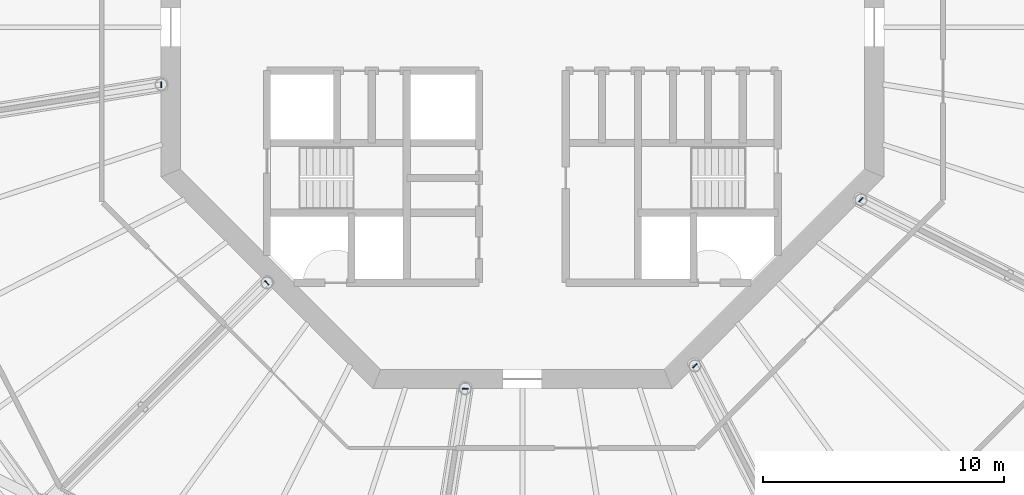
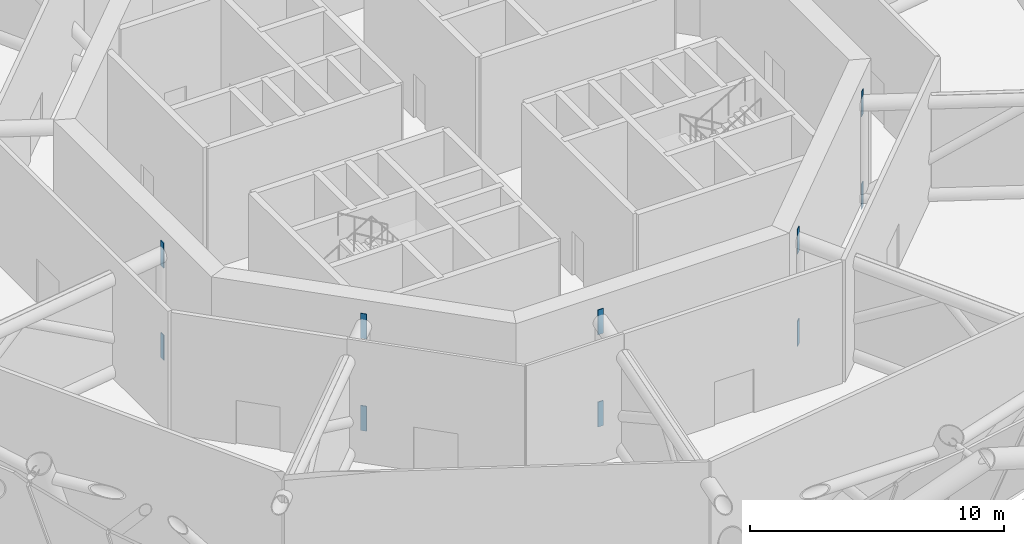
# One storey, part 11 of 20: 10 discrete accessories.
"""IFC4 building model written with IfcOpenShell, lengths in metres."""

from ifc_helpers import new_model, si_unit, direction, frame, origin, origin_2d, place, context, subcontext, project, spatial, rectangle, extrude, material, element, save


model = new_model("IFC4")

# Units and contexts
model_context = context("Model", 3, precision=1e-05, world=origin(), true_north=direction((0.0, 1.0)))
body_context = subcontext(model_context, "Body", "Model", "MODEL_VIEW")
ifc_project = project(units=[si_unit("LENGTHUNIT", "METRE"), si_unit("AREAUNIT", "SQUARE_METRE"), si_unit("VOLUMEUNIT", "CUBIC_METRE"), si_unit("PLANEANGLEUNIT", "RADIAN"), si_unit("MASSUNIT", "GRAM", prefix="KILO")], contexts=[model_context])

# Site, building, storey
site_placement = place(None, origin())
site = spatial("IfcSite", under=ifc_project, at=site_placement, CompositionType="ELEMENT")
building_placement = place(site_placement, origin())
building = spatial("IfcBuilding", under=site, at=building_placement, Name="Entoto Ring Tower", CompositionType="ELEMENT")
storey_placement = place(building_placement, frame((0.0, 0.0, 330.0)))
storey = spatial("IfcBuildingStorey", under=building, at=storey_placement, Name="L76", CompositionType="ELEMENT", Elevation=330.0)

# Discrete accessories
ifc_material = material(Name="Steel S355", Category="steel")
for number, where, z_axis, x_axis, name in (
    (1, (75.0, 77.624267578125, -0.27001953125), (0.0, 0.0, 1.0), (-1.0, 0.0, 0.0), "Embedded plate L76 bottom 06"),
    (2, (75.0, 77.624267578125, 4.1669921875), (0.0, 0.0, 1.0), (-1.0, 0.0, 0.0), "Embedded plate L76 top 06"),
    (3, (79.393310546875, 69.393310546875, -0.27001953125), (0.0, 0.0, 1.0), (-0.707106781187, -0.707106781187, 0.0), "Embedded plate L76 bottom 07"),
    (4, (79.393310546875, 69.393310546875, 4.1669921875), (0.0, 0.0, 1.0), (-0.707106781187, -0.707106781187, 0.0), "Embedded plate L76 top 07"),
    (5, (87.624267578125, 65.0, -0.27001953125), (0.0, 0.0, 1.0), (0.0, -1.0, 0.0), "Embedded plate L76 bottom 08"),
    (6, (87.624267578125, 65.0, 4.1669921875), (0.0, 0.0, 1.0), (0.0, -1.0, 0.0), "Embedded plate L76 top 08"),
    (7, (97.160400390625, 65.947021484375, -0.27001953125), (0.0, 0.0, 1.0), (0.707106781187, -0.707106781187, 0.0), "Embedded plate L76 bottom 09"),
    (8, (97.160400390625, 65.947021484375, 4.1669921875), (0.0, 0.0, 1.0), (0.707106781187, -0.707106781187, 0.0), "Embedded plate L76 top 09"),
    (9, (104.052978515625, 72.839599609375, -0.27001953125), (0.0, 0.0, 1.0), (0.707106781187, -0.707106781187, 0.0), "Embedded plate L76 bottom 10"),
    (10, (104.052978515625, 72.839599609375, 4.1669921875), (0.0, 0.0, 1.0), (0.707106781187, -0.707106781187, 0.0), "Embedded plate L76 top 10"),
):
    element("IfcDiscreteAccessory", number, at=place(storey_placement, frame(where, z_axis=z_axis, x_axis=x_axis)), inside=storey, material=ifc_material, Name=name, PredefinedType="ANCHORPLATE", context=body_context, shape_type="SweptSolid", body=[
        extrude(rectangle(XDim=0.0400390625, YDim=0.25, at=origin_2d()), origin(), (0.0, 0.0, 1.0), 1.199951171875),
    ])

save(model, "model.ifc")
